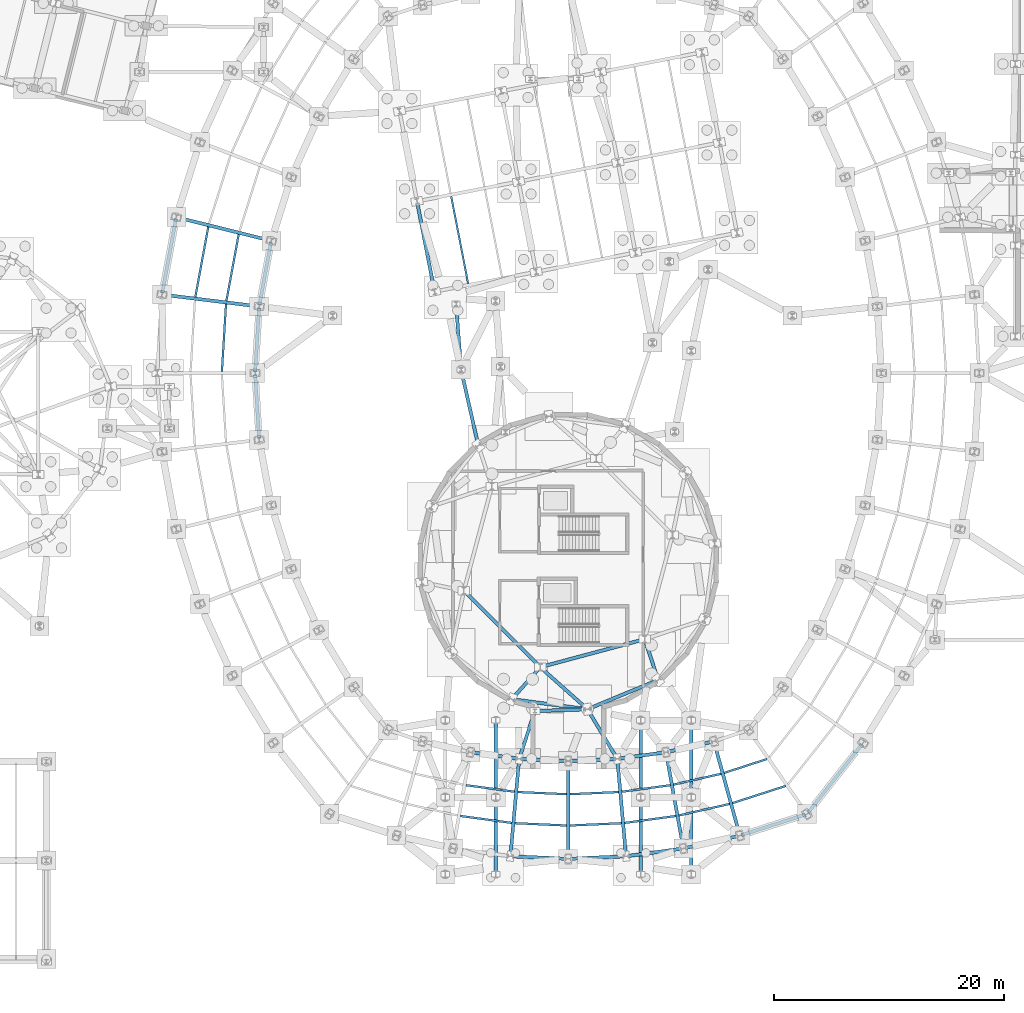
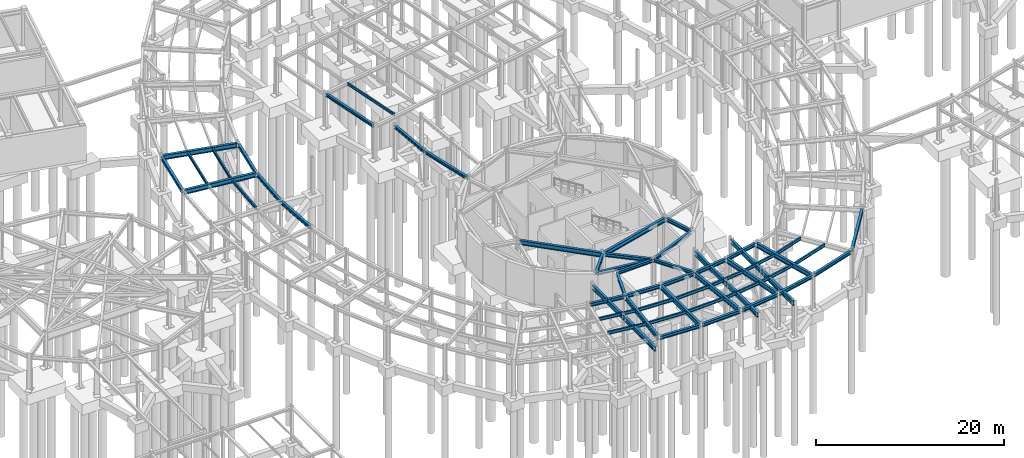
# One storey, part 30 of 50: 57 beams.
"""IFC4 building model written with IfcOpenShell, lengths in metres."""

import ifcopenshell
import ifcopenshell.guid

model = None  # the IFC model being written
_history = None  # IfcOwnerHistory: only IFC2X3 demands one
_inside = {}  # id of a spatial element -> (the spatial element, [elements in it])
_under = {}  # id of a project, library or spatial element -> (it, [spatial elements below it])
_declared = {}  # id of a project -> (the project, [libraries it declares])
_typed = {}  # id of a type object -> (the type object, [elements of that type])
_made_of = {}  # id of a material, layer set ... -> (it, [elements and type objects made of it])


def new_model(schema):
    """Start an empty IFC model of exactly this schema.

    Asked for "IFC4X3", IfcOpenShell would pick the latest addendum, in which some entities
    have other attributes; the version numbers below select the first issue.
    IFC2X3 requires an IfcOwnerHistory on every rooted entity: one is made here for all.
    """
    global model, _history
    if schema == "IFC4X3":
        model = ifcopenshell.file(schema_version=(4, 3, 0, 0))
    else:
        model = ifcopenshell.file(schema=schema)
    _inside.clear()
    _under.clear()
    _declared.clear()
    _typed.clear()
    _made_of.clear()
    _history = None
    if model.schema == "IFC2X3":
        org = make("IfcOrganization", Name="unknown")
        user = make(
            "IfcPersonAndOrganization",
            ThePerson=make("IfcPerson", FamilyName="unknown"),
            TheOrganization=org,
        )
        app = make(
            "IfcApplication",
            ApplicationDeveloper=org,
            Version="unknown",
            ApplicationFullName="unknown",
            ApplicationIdentifier="unknown",
        )
        _history = make(
            "IfcOwnerHistory",
            OwningUser=user,
            OwningApplication=app,
            ChangeAction="ADDED",
            CreationDate=0,
        )
    return model


def make(cls, **values):
    """One entity of the class cls with the attributes given. An attribute that is None is left unset."""
    return model.create_entity(
        cls, **{name: value for name, value in values.items() if value is not None}
    )


def rooted(cls, **values):
    """An entity with a GlobalId (a new one), such as an element, a storey or a relation."""
    return make(cls, GlobalId=ifcopenshell.guid.new(), OwnerHistory=_history, **values)


def si_unit(unit_type, name, prefix=None):
    """IfcSIUnit, for example si_unit("LENGTHUNIT", "METRE", prefix="MILLI")."""
    return make("IfcSIUnit", UnitType=unit_type, Prefix=prefix, Name=name)


def assignment(units):
    """IfcUnitAssignment: the units of a project."""
    return None if units is None else make("IfcUnitAssignment", Units=units)


def point(xyz):
    """IfcCartesianPoint."""
    return None if xyz is None else make("IfcCartesianPoint", Coordinates=xyz)


def direction(xyz):
    """IfcDirection."""
    return None if xyz is None else make("IfcDirection", DirectionRatios=xyz)


def frame(location, z_axis=None, x_axis=None):
    """IfcAxis2Placement3D, a coordinate frame: its origin and axes. An axis left out is left unset."""
    return make(
        "IfcAxis2Placement3D",
        Location=point(location),
        Axis=direction(z_axis),
        RefDirection=direction(x_axis),
    )


def frame_2d(location, x_axis=None):
    """IfcAxis2Placement2D, a coordinate frame in the plane: its origin and x axis."""
    return make(
        "IfcAxis2Placement2D", Location=point(location), RefDirection=direction(x_axis)
    )


def origin():
    """The frame at (0, 0, 0) with its axes left unset."""
    return frame((0.0, 0.0, 0.0))


def origin_2d():
    """The frame at (0, 0) in the plane with its x axis left unset."""
    return frame_2d((0.0, 0.0))


def place(relative_to, where):
    """IfcLocalPlacement: puts the frame where relative to a parent placement (None: the world)."""
    return make(
        "IfcLocalPlacement", PlacementRelTo=relative_to, RelativePlacement=where
    )


def context(
    kind, dimensions, precision=None, world=None, true_north=None, identifier=None
):
    """IfcGeometricRepresentationContext, for example the 3D "Model" context."""
    return make(
        "IfcGeometricRepresentationContext",
        ContextIdentifier=identifier,
        ContextType=kind,
        CoordinateSpaceDimension=dimensions,
        Precision=precision,
        WorldCoordinateSystem=world,
        TrueNorth=true_north,
    )


def subcontext(parent, identifier, kind, view, scale=None):
    """IfcGeometricRepresentationSubContext, for example "Body" below "Model"."""
    return make(
        "IfcGeometricRepresentationSubContext",
        ContextIdentifier=identifier,
        ContextType=kind,
        ParentContext=parent,
        TargetScale=scale,
        TargetView=view,
    )


def project(units=None, contexts=None):
    """IfcProject with its units and contexts."""
    return rooted(
        "IfcProject",
        Name="project",
        RepresentationContexts=contexts,
        UnitsInContext=assignment(units),
    )


def spatial(cls, under=None, at=None, **own):
    """A site, building, storey or space (cls), placed at a placement, below another one or the project."""
    s = rooted(cls, ObjectPlacement=at, **own)
    if under is not None:
        _under.setdefault(under.id(), (under, []))[1].append(s)
    return s


def profile(cls, at=None, kind="AREA", **sizes):
    """A parametric profile (cls). Its sizes go by their IFC names, for example OverallWidth=200.0."""
    return make(cls, ProfileType=kind, Position=at, **sizes)


def i_section(**sizes):
    """IfcIShapeProfileDef."""
    return profile("IfcIShapeProfileDef", **sizes)


def extrude(swept, where, along, depth):
    """IfcExtrudedAreaSolid: the profile swept, set in the frame where, extruded along a direction by depth."""
    return make(
        "IfcExtrudedAreaSolid",
        SweptArea=swept,
        Position=where,
        ExtrudedDirection=direction(along),
        Depth=depth,
    )


def shape(context_of_items, identifier, shape_type, items):
    """IfcShapeRepresentation: the items that make up one representation, for example the "Body"."""
    return make(
        "IfcShapeRepresentation",
        ContextOfItems=context_of_items,
        RepresentationIdentifier=identifier,
        RepresentationType=shape_type,
        Items=items,
    )


def material(Name=None, Category=None):
    """IfcMaterial."""
    return make("IfcMaterial", Name=Name, Category=Category)


def material_profile(
    of_material, cross_section, Name=None, Category=None, Priority=None
):
    """IfcMaterialProfile: a cross section and its material."""
    return make(
        "IfcMaterialProfile",
        Name=Name,
        Material=of_material,
        Profile=cross_section,
        Priority=Priority,
        Category=Category,
    )


def profile_set(profiles, Name=None, composite=None):
    """IfcMaterialProfileSet."""
    return make(
        "IfcMaterialProfileSet",
        Name=Name,
        MaterialProfiles=profiles,
        CompositeProfile=composite,
    )


def made_of(thing, what):
    """Note that an element or type object is made of a material, layer set ...; save() writes the relation."""
    if what is not None:
        _made_of.setdefault(what.id(), (what, []))[1].append(thing)
    return thing


def type_object(cls, material=None, **own):
    """A type object (cls), such as IfcWallType, which elements share."""
    return made_of(rooted(cls, **own), material)


def element(
    cls,
    number,
    at=None,
    inside=None,
    cuts=None,
    type_object=None,
    material=None,
    context=None,
    identifier="Body",
    shape_type=None,
    held_by="IfcProductDefinitionShape",
    body=None,
    shapes=None,
    **own,
):
    """One element of the class cls, such as IfcWall. Its Tag is "e" and its number.

    at: its placement. inside: the storey or other place that contains it. cuts: it is an
    opening in that element (IfcRelVoidsElement). A single representation is given by context,
    identifier, shape_type and body (its items); several are given by shapes. held_by: the class
    of the entity that holds the representations. save() writes the other relations.
    """
    e = rooted(cls, Tag="e%d" % number, ObjectPlacement=at, **own)
    if body is not None:
        shapes = [shape(context, identifier, shape_type, body)]
    if shapes is not None:
        e.Representation = make(held_by, Representations=shapes)
    if inside is not None:
        _inside.setdefault(inside.id(), (inside, []))[1].append(e)
    if cuts is not None:
        rooted(
            "IfcRelVoidsElement", RelatingBuildingElement=cuts, RelatedOpeningElement=e
        )
    if type_object is not None:
        _typed.setdefault(type_object.id(), (type_object, []))[1].append(e)
    return made_of(e, material)


def aggregate(whole, parts):
    """IfcRelAggregates: a whole, such as a stair, and the parts it consists of."""
    return rooted("IfcRelAggregates", RelatingObject=whole, RelatedObjects=parts)


def save(model, path):
    """Write the relations noted so far, then the file.

    IfcRelAggregates (storeys below a building ...), IfcRelContainedInSpatialStructure (elements
    in a storey), IfcRelDefinesByType, IfcRelAssociatesMaterial and IfcRelDeclares: one each for
    every whole, place, type object, material and project.
    """
    for whole, parts in _under.values():
        aggregate(whole, parts)
    for where, things in _inside.values():
        rooted(
            "IfcRelContainedInSpatialStructure",
            RelatedElements=things,
            RelatingStructure=where,
        )
    for kind, things in _typed.values():
        rooted("IfcRelDefinesByType", RelatedObjects=things, RelatingType=kind)
    for what, things in _made_of.values():
        rooted("IfcRelAssociatesMaterial", RelatedObjects=things, RelatingMaterial=what)
    for by, libraries in _declared.values():
        rooted("IfcRelDeclares", RelatingContext=by, RelatedDefinitions=libraries)
    model.write(path)


model = new_model("IFC4")

# Units and contexts
model_context = context("Model", 3, precision=1e-05, world=origin(), true_north=direction((0.0, 1.0)))
body_context = subcontext(model_context, "Body", "Model", "MODEL_VIEW")
ifc_project = project(units=[si_unit("LENGTHUNIT", "METRE"), si_unit("AREAUNIT", "SQUARE_METRE"), si_unit("VOLUMEUNIT", "CUBIC_METRE"), si_unit("PLANEANGLEUNIT", "RADIAN"), si_unit("MASSUNIT", "GRAM", prefix="KILO")], contexts=[model_context])

# Site, building, storey
site_placement = place(None, origin())
site = spatial("IfcSite", under=ifc_project, at=site_placement, CompositionType="ELEMENT")
building_placement = place(site_placement, origin())
building = spatial("IfcBuilding", under=site, at=building_placement, Name="Varnklinge Art Gallery", CompositionType="ELEMENT")
storey_placement = place(building_placement, frame((0.0, 0.0, -4.800048828125)))
storey = spatial("IfcBuildingStorey", under=building, at=storey_placement, Name="B01", CompositionType="ELEMENT", Elevation=-4.800048828125)

# Beams
ifc_material_1 = material(Name="Steel S355", Category="steel")
ifc_material_profile_1 = material_profile(ifc_material_1, i_section(OverallWidth=0.300048828125, OverallDepth=0.60009765625, WebThickness=0.015380859375, FlangeThickness=0.030029296875, FilletRadius=0.027099609375, at=origin_2d()), Name="HEB 600")
ifc_profile_set_1 = profile_set([ifc_material_profile_1], Name="Steel S355")
beam_type_1 = type_object("IfcBeamType", Name="BM-05", PredefinedType="BEAM", material=ifc_profile_set_1)
for number, where, z_axis, x_axis, name in (
    (1, (69.199951171875, 11.449951171875, 4.25), (0.0, 1.0, 0.0), (-1.0, 0.0, 0.0), "B01 BM-05 BM-CAN-B01A-2"),
    (2, (69.199951171875, 18.14990234375, 4.25), (0.0, 1.0, 0.0), (-1.0, 0.0, 0.0), "B01 BM-05 BM-CAN-B01B-2"),
    (3, (81.800048828125, 11.449951171875, 4.25), (0.0, 1.0, 0.0), (-1.0, 0.0, 0.0), "B01 BM-05 BM-CAN-B01A-3"),
    (4, (81.800048828125, 18.14990234375, 4.25), (0.0, 1.0, 0.0), (-1.0, 0.0, 0.0), "B01 BM-05 BM-CAN-B01B-3"),
    (5, (86.199951171875, 11.449951171875, 4.25), (0.0, 1.0, 0.0), (-1.0, 0.0, 0.0), "B01 BM-05 BM-CAN-B01A-4"),
    (6, (86.199951171875, 18.14990234375, 4.25), (0.0, 1.0, 0.0), (-1.0, 0.0, 0.0), "B01 BM-05 BM-CAN-B01B-4"),
):
    element("IfcBeam", number, at=place(storey_placement, frame(where, z_axis=z_axis, x_axis=x_axis)), inside=storey, type_object=beam_type_1, Name=name, PredefinedType="BEAM", context=body_context, shape_type="SweptSolid", body=[
        extrude(i_section(OverallWidth=0.300048828125, OverallDepth=0.60009765625, WebThickness=0.015380859375, FlangeThickness=0.030029296875, FilletRadius=0.027099609375, at=origin_2d()), origin(), (0.0, 0.0, 1.0), 6.60009765625),
    ])
ifc_material_2 = material(Name="Steel S355", Category="steel")
ifc_material_profile_2 = material_profile(ifc_material_2, i_section(OverallWidth=0.300048828125, OverallDepth=0.590087890625, WebThickness=0.012939453125, FlangeThickness=0.02490234375, FilletRadius=0.027099609375, at=origin_2d()), Name="HEA 600")
ifc_profile_set_2 = profile_set([ifc_material_profile_2], Name="Steel S355")
beam_type_2 = type_object("IfcBeamType", Name="BM-06", PredefinedType="BEAM", material=ifc_profile_set_2)
beam_1_placement = place(storey_placement, frame((41.53759765625, 68.531982421875, 4.255126953125), z_axis=(0.970493677731, -0.241126567355, 0.0), x_axis=(0.241126567355, 0.970493677731, 0.0)))
element("IfcBeam", 7, at=beam_1_placement, inside=storey, type_object=beam_type_2, Name="B01 BM-06 BM-V2-L00-R25", PredefinedType="BEAM", context=body_context, shape_type="SweptSolid", body=[
    extrude(i_section(OverallWidth=0.300048828125, OverallDepth=0.590087890625, WebThickness=0.012939453125, FlangeThickness=0.02490234375, FilletRadius=0.027099609375, at=origin_2d()), origin(), (0.0, 0.0, 1.0), 8.236572265625),
])
beam_2_placement = place(storey_placement, frame((40.297119140625, 61.81640625, 4.255126953125), z_axis=(0.992595580805, -0.121466098009, 0.0), x_axis=(0.121466098009, 0.992595580805, 0.0)))
element("IfcBeam", 8, at=beam_2_placement, inside=storey, type_object=beam_type_2, Name="B01 BM-06 BM-V2-L00-R26", PredefinedType="BEAM", context=body_context, shape_type="SweptSolid", body=[
    extrude(i_section(OverallWidth=0.300048828125, OverallDepth=0.590087890625, WebThickness=0.012939453125, FlangeThickness=0.02490234375, FilletRadius=0.027099609375, at=origin_2d()), origin(), (0.0, 0.0, 1.0), 8.23681640625),
])
beam_3_placement = place(storey_placement, frame((70.482177734375, 13.110107421875, 4.255126953125), z_axis=(0.089446998225, 0.995991583553, 0.0), x_axis=(-0.995991583553, 0.089446998225, 0.0)))
element("IfcBeam", 9, at=beam_3_placement, inside=storey, type_object=beam_type_2, Name="B01 BM-06 BM-V2-L00-R36", PredefinedType="BEAM", context=body_context, shape_type="SweptSolid", body=[
    extrude(i_section(OverallWidth=0.300048828125, OverallDepth=0.590087890625, WebThickness=0.012939453125, FlangeThickness=0.02490234375, FilletRadius=0.027099609375, at=origin_2d()), origin(), (0.0, 0.0, 1.0), 8.229248046875),
])
beam_4_placement = place(storey_placement, frame((75.5, 12.885498046875, 4.255126953125), z_axis=(0.0, 1.0, 0.0), x_axis=(-1.0, 0.0, 0.0)))
element("IfcBeam", 10, at=beam_4_placement, inside=storey, type_object=beam_type_2, Name="B01 BM-06 BM-V2-L00-R37", PredefinedType="BEAM", context=body_context, shape_type="SweptSolid", body=[
    extrude(i_section(OverallWidth=0.300048828125, OverallDepth=0.590087890625, WebThickness=0.012939453125, FlangeThickness=0.02490234375, FilletRadius=0.027099609375, at=origin_2d()), origin(), (0.0, 0.0, 1.0), 8.22900390625),
])
for number, where, z_axis, x_axis, name in (
    (11, (80.517822265625, 13.110107421875, 4.255126953125), (-0.089446998225, 0.995991583553, 0.0), (-0.995991583553, -0.089446998225, 0.0), "B01 BM-06 BM-V2-L00-R38"),
    (12, (85.495361328125, 13.78271484375, 4.255126953125), (-0.178151776958, 0.984003020507, 0.0), (-0.984003020507, -0.178151776958, 0.0), "B01 BM-06 BM-V2-L00-R39"),
    (13, (90.392578125, 14.897705078125, 4.255126953125), (-0.26537851046, 0.96414430776, 0.0), (-0.96414430776, -0.26537851046, 0.0), "B01 BM-06 BM-V2-L00-R40"),
):
    element("IfcBeam", number, at=place(storey_placement, frame(where, z_axis=z_axis, x_axis=x_axis)), inside=storey, type_object=beam_type_2, Name=name, PredefinedType="BEAM", context=body_context, shape_type="SweptSolid", body=[
        extrude(i_section(OverallWidth=0.300048828125, OverallDepth=0.590087890625, WebThickness=0.012939453125, FlangeThickness=0.02490234375, FilletRadius=0.027099609375, at=origin_2d()), origin(), (0.0, 0.0, 1.0), 8.229248046875),
    ])
beam_5_placement = place(storey_placement, frame((66.519287109375, 35.968017578125, 4.255126953125), z_axis=(0.707106781187, -0.707106781187, 0.0), x_axis=(0.707106781187, 0.707106781187, 0.0)))
element("IfcBeam", 14, at=beam_5_placement, inside=storey, type_object=beam_type_2, Name="B01 BM-06 BM-V4D-L00-I4", PredefinedType="BEAM", context=body_context, shape_type="SweptSolid", body=[
    extrude(i_section(OverallWidth=0.300048828125, OverallDepth=0.590087890625, WebThickness=0.012939453125, FlangeThickness=0.02490234375, FilletRadius=0.027099609375, at=origin_2d()), origin(), (0.0, 0.0, 1.0), 9.119873046875),
])
beam_6_placement = place(storey_placement, frame((73.202392578125, 29.45654296875, 4.255126953125), z_axis=(0.965928574877, 0.258808787016, 0.0), x_axis=(-0.258808787016, 0.965928574877, 0.0)))
element("IfcBeam", 15, at=beam_6_placement, inside=storey, type_object=beam_type_2, Name="B01 BM-06 BM-V4D-L00-I5", PredefinedType="BEAM", context=body_context, shape_type="SweptSolid", body=[
    extrude(i_section(OverallWidth=0.300048828125, OverallDepth=0.590087890625, WebThickness=0.012939453125, FlangeThickness=0.02490234375, FilletRadius=0.027099609375, at=origin_2d()), origin(), (0.0, 0.0, 1.0), 9.1201171875),
])
ifc_material_3 = material(Name="Steel S355", Category="steel")
ifc_material_profile_3 = material_profile(ifc_material_3, i_section(OverallWidth=0.300048828125, OverallDepth=0.43994140625, WebThickness=0.011474609375, FlangeThickness=0.02099609375, FilletRadius=0.027099609375, at=origin_2d()), Name="HEA 450")
ifc_profile_set_3 = profile_set([ifc_material_profile_3], Name="Steel S355")
beam_type_3 = type_object("IfcBeamType", Name="BM-08", PredefinedType="BEAM", material=ifc_profile_set_3)
beam_7_placement = place(storey_placement, frame((96.357666015625, 16.75, 4.330078125), z_axis=(0.619327516232, 0.785132745233, 0.0), x_axis=(-0.785132745233, 0.619327516232, 0.0)))
element("IfcBeam", 16, at=beam_7_placement, inside=storey, type_object=beam_type_3, Name="B01 BM-08 BM-V2-L00-O01", PredefinedType="BEAM", context=body_context, shape_type="SweptSolid", body=[
    extrude(i_section(OverallWidth=0.300048828125, OverallDepth=0.43994140625, WebThickness=0.011474609375, FlangeThickness=0.02099609375, FilletRadius=0.027099609375, at=origin_2d()), origin(), (0.0, 0.0, 1.0), 7.597900390625),
])
beam_8_placement = place(storey_placement, frame((41.376220703125, 68.427978515625, 4.330078125), z_axis=(-0.181672496831, -0.983359092039, 0.0), x_axis=(0.983359092039, -0.181672496831, 0.0)))
element("IfcBeam", 17, at=beam_8_placement, inside=storey, type_object=beam_type_3, Name="B01 BM-08 BM-V2-L00-O25", PredefinedType="BEAM", context=body_context, shape_type="SweptSolid", body=[
    extrude(i_section(OverallWidth=0.300048828125, OverallDepth=0.43994140625, WebThickness=0.011474609375, FlangeThickness=0.02099609375, FilletRadius=0.027099609375, at=origin_2d()), origin(), (0.0, 0.0, 1.0), 6.566162109375),
])
for number, where, z_axis, x_axis, name in (
    (18, (49.641845703125, 66.374267578125, 4.330078125), (-0.181635496942, -0.983365926932, 0.0), (0.983365926932, -0.181635496942, 0.0), "B01 BM-08 BM-V2-L00-I25"),
    (19, (48.603515625, 60.6591796875, 4.330078125), (-0.06083896784, -0.998147594293, 0.0), (0.998147594293, -0.06083896784, 0.0), "B01 BM-08 BM-V2-L00-I26"),
    (20, (48.26708984375, 54.8603515625, 4.330078125), (0.06083896784, -0.998147594293, 0.0), (0.998147594293, 0.06083896784, 0.0), "B01 BM-08 BM-V2-L00-I27"),
):
    element("IfcBeam", number, at=place(storey_placement, frame(where, z_axis=z_axis, x_axis=x_axis)), inside=storey, type_object=beam_type_3, Name=name, PredefinedType="BEAM", context=body_context, shape_type="SweptSolid", body=[
        extrude(i_section(OverallWidth=0.300048828125, OverallDepth=0.43994140625, WebThickness=0.011474609375, FlangeThickness=0.02099609375, FilletRadius=0.027099609375, at=origin_2d()), origin(), (0.0, 0.0, 1.0), 5.52978515625),
    ])
beam_9_placement = place(storey_placement, frame((67.13427734375, 21.99951171875, 4.330078125), z_axis=(0.990989799055, -0.133937366586, 0.0), x_axis=(0.133937366586, 0.990989799055, 0.0)))
element("IfcBeam", 21, at=beam_9_placement, inside=storey, type_object=beam_type_3, Name="B01 BM-08 BM-V2-L00-I35", PredefinedType="BEAM", context=body_context, shape_type="SweptSolid", body=[
    extrude(i_section(OverallWidth=0.300048828125, OverallDepth=0.43994140625, WebThickness=0.011474609375, FlangeThickness=0.02099609375, FilletRadius=0.027099609375, at=origin_2d()), origin(), (0.0, 0.0, 1.0), 3.99365234375),
])
beam_10_placement = place(storey_placement, frame((70.609619140625, 12.96435546875, 4.330078125), z_axis=(0.998999636454, -0.0447183001, 0.0), x_axis=(0.0447183001, 0.998999636454, 0.0)))
element("IfcBeam", 22, at=beam_10_placement, inside=storey, type_object=beam_type_3, Name="B01 BM-08 BM-V2-L00-O36", PredefinedType="BEAM", context=body_context, shape_type="SweptSolid", body=[
    extrude(i_section(OverallWidth=0.300048828125, OverallDepth=0.43994140625, WebThickness=0.011474609375, FlangeThickness=0.02099609375, FilletRadius=0.027099609375, at=origin_2d()), origin(), (0.0, 0.0, 1.0), 4.755126953125),
])
beam_11_placement = place(storey_placement, frame((71.37060546875, 21.439697265625, 4.330078125), z_axis=(0.998998197966, -0.044750424142, 0.0), x_axis=(0.044750424142, 0.998998197966, 0.0)))
element("IfcBeam", 23, at=beam_11_placement, inside=storey, type_object=beam_type_3, Name="B01 BM-08 BM-V2-L00-I36", PredefinedType="BEAM", context=body_context, shape_type="SweptSolid", body=[
    extrude(i_section(OverallWidth=0.300048828125, OverallDepth=0.43994140625, WebThickness=0.011474609375, FlangeThickness=0.02099609375, FilletRadius=0.027099609375, at=origin_2d()), origin(), (0.0, 0.0, 1.0), 3.993408203125),
])
beam_12_placement = place(storey_placement, frame((75.639892578125, 12.751708984375, 4.330078125), z_axis=(0.998999636454, 0.0447183001, 0.0), x_axis=(-0.0447183001, 0.998999636454, 0.0)))
element("IfcBeam", 24, at=beam_12_placement, inside=storey, type_object=beam_type_3, Name="B01 BM-08 BM-V2-L00-O37", PredefinedType="BEAM", context=body_context, shape_type="SweptSolid", body=[
    extrude(i_section(OverallWidth=0.300048828125, OverallDepth=0.43994140625, WebThickness=0.011474609375, FlangeThickness=0.02099609375, FilletRadius=0.027099609375, at=origin_2d()), origin(), (0.0, 0.0, 1.0), 4.755126953125),
])
beam_13_placement = place(storey_placement, frame((75.639892578125, 21.260986328125, 4.330078125), z_axis=(0.998998197966, 0.044750424142, 0.0), x_axis=(-0.044750424142, 0.998998197966, 0.0)))
element("IfcBeam", 25, at=beam_13_placement, inside=storey, type_object=beam_type_3, Name="B01 BM-08 BM-V2-L00-I37", PredefinedType="BEAM", context=body_context, shape_type="SweptSolid", body=[
    extrude(i_section(OverallWidth=0.300048828125, OverallDepth=0.43994140625, WebThickness=0.011474609375, FlangeThickness=0.02099609375, FilletRadius=0.027099609375, at=origin_2d()), origin(), (0.0, 0.0, 1.0), 3.993408203125),
])
beam_14_placement = place(storey_placement, frame((80.6689453125, 12.989501953125, 4.330078125), z_axis=(0.990995928782, 0.133892005505, 0.0), x_axis=(-0.133892005505, 0.990995928782, 0.0)))
element("IfcBeam", 26, at=beam_14_placement, inside=storey, type_object=beam_type_3, Name="B01 BM-08 BM-V2-L00-O38", PredefinedType="BEAM", context=body_context, shape_type="SweptSolid", body=[
    extrude(i_section(OverallWidth=0.300048828125, OverallDepth=0.43994140625, WebThickness=0.011474609375, FlangeThickness=0.02099609375, FilletRadius=0.027099609375, at=origin_2d()), origin(), (0.0, 0.0, 1.0), 4.75537109375),
])
beam_15_placement = place(storey_placement, frame((79.907958984375, 21.464599609375, 4.330078125), z_axis=(0.990989799055, 0.133937366586, 0.0), x_axis=(-0.133937366586, 0.990989799055, 0.0)))
element("IfcBeam", 27, at=beam_15_placement, inside=storey, type_object=beam_type_3, Name="B01 BM-08 BM-V2-L00-I38", PredefinedType="BEAM", context=body_context, shape_type="SweptSolid", body=[
    extrude(i_section(OverallWidth=0.300048828125, OverallDepth=0.43994140625, WebThickness=0.011474609375, FlangeThickness=0.02099609375, FilletRadius=0.027099609375, at=origin_2d()), origin(), (0.0, 0.0, 1.0), 3.99365234375),
])
beam_16_placement = place(storey_placement, frame((85.65673828125, 13.676025390625, 4.330078125), z_axis=(0.975056640979, 0.221956182347, 0.0), x_axis=(-0.221956182347, 0.975056640979, 0.0)))
element("IfcBeam", 28, at=beam_16_placement, inside=storey, type_object=beam_type_3, Name="B01 BM-08 BM-V2-L00-O39", PredefinedType="BEAM", context=body_context, shape_type="SweptSolid", body=[
    extrude(i_section(OverallWidth=0.300048828125, OverallDepth=0.43994140625, WebThickness=0.011474609375, FlangeThickness=0.02099609375, FilletRadius=0.027099609375, at=origin_2d()), origin(), (0.0, 0.0, 1.0), 4.755126953125),
])
beam_17_placement = place(storey_placement, frame((84.140869140625, 22.04931640625, 4.330078125), z_axis=(0.975053526144, 0.221969865419, 0.0), x_axis=(-0.221969865419, 0.975053526144, 0.0)))
element("IfcBeam", 29, at=beam_17_placement, inside=storey, type_object=beam_type_3, Name="B01 BM-08 BM-V2-L00-I39", PredefinedType="BEAM", context=body_context, shape_type="SweptSolid", body=[
    extrude(i_section(OverallWidth=0.300048828125, OverallDepth=0.43994140625, WebThickness=0.011474609375, FlangeThickness=0.02099609375, FilletRadius=0.027099609375, at=origin_2d()), origin(), (0.0, 0.0, 1.0), 3.99365234375),
])
beam_18_placement = place(storey_placement, frame((90.56298828125, 14.805419921875, 4.330078125), z_axis=(0.952022487869, 0.306028074843, 0.0), x_axis=(-0.306028074843, 0.952022487869, 0.0)))
element("IfcBeam", 30, at=beam_18_placement, inside=storey, type_object=beam_type_3, Name="B01 BM-08 BM-V2-L00-O40", PredefinedType="BEAM", context=body_context, shape_type="SweptSolid", body=[
    extrude(i_section(OverallWidth=0.300048828125, OverallDepth=0.43994140625, WebThickness=0.011474609375, FlangeThickness=0.02099609375, FilletRadius=0.027099609375, at=origin_2d()), origin(), (0.0, 0.0, 1.0), 5.855712890625),
])
beam_19_placement = place(storey_placement, frame((72.97412109375, 29.315673828125, 4.330078125), z_axis=(-0.664780083084, -0.747039116201, 0.0), x_axis=(0.747039116201, -0.664780083084, 0.0)))
element("IfcBeam", 31, at=beam_19_placement, inside=storey, type_object=beam_type_3, Name="B01 BM-08 BM-V4D-L00-R09", PredefinedType="BEAM", context=body_context, shape_type="SweptSolid", body=[
    extrude(i_section(OverallWidth=0.300048828125, OverallDepth=0.43994140625, WebThickness=0.011474609375, FlangeThickness=0.02099609375, FilletRadius=0.027099609375, at=origin_2d()), origin(), (0.0, 0.0, 1.0), 3.457763671875),
])
beam_20_placement = place(storey_placement, frame((73.171630859375, 29.3271484375, 4.330078125), z_axis=(0.746795307155, -0.665053959623, 0.0), x_axis=(0.665053959623, 0.746795307155, 0.0)))
element("IfcBeam", 32, at=beam_20_placement, inside=storey, type_object=beam_type_3, Name="B01 BM-08 BM-V4D-L00-R10", PredefinedType="BEAM", context=body_context, shape_type="SweptSolid", body=[
    extrude(i_section(OverallWidth=0.300048828125, OverallDepth=0.43994140625, WebThickness=0.011474609375, FlangeThickness=0.02099609375, FilletRadius=0.027099609375, at=origin_2d()), origin(), (0.0, 0.0, 1.0), 5.223876953125),
])
beam_21_placement = place(storey_placement, frame((82.19091796875, 31.72021484375, 4.330078125), z_axis=(0.314574973389, -0.949232630137, 0.0), x_axis=(0.949232630137, 0.314574973389, 0.0)))
element("IfcBeam", 33, at=beam_21_placement, inside=storey, type_object=beam_type_3, Name="B01 BM-08 BM-V4D-L00-R11", PredefinedType="BEAM", context=body_context, shape_type="SweptSolid", body=[
    extrude(i_section(OverallWidth=0.300048828125, OverallDepth=0.43994140625, WebThickness=0.011474609375, FlangeThickness=0.02099609375, FilletRadius=0.027099609375, at=origin_2d()), origin(), (0.0, 0.0, 1.0), 3.45751953125),
])
ifc_material_4 = material(Name="Steel S355", Category="steel")
ifc_material_profile_4 = material_profile(ifc_material_4, i_section(OverallWidth=0.300048828125, OverallDepth=0.389892578125, WebThickness=0.010986328125, FlangeThickness=0.01904296875, FilletRadius=0.027099609375, at=origin_2d()), Name="HEA 400")
ifc_profile_set_4 = profile_set([ifc_material_profile_4], Name="Steel S355")
beam_type_4 = type_object("IfcBeamType", Name="BM-09", PredefinedType="BEAM", material=ifc_profile_set_4)
beam_22_placement = place(storey_placement, frame((63.845947265625, 62.2275390625, 4.35498046875), z_axis=(-0.190816333803, 0.981625756974, 0.0), x_axis=(-0.981625756974, -0.190816333803, 0.0)))
element("IfcBeam", 34, at=beam_22_placement, inside=storey, type_object=beam_type_4, Name="B01 BM-09 BM-V4B-L00-V0-0", PredefinedType="BEAM", context=body_context, shape_type="SweptSolid", body=[
    extrude(i_section(OverallWidth=0.300048828125, OverallDepth=0.389892578125, WebThickness=0.010986328125, FlangeThickness=0.01904296875, FilletRadius=0.027099609375, at=origin_2d()), origin(), (0.0, 0.0, 1.0), 7.72021484375),
])
beam_23_placement = place(storey_placement, frame((79.73828125, 21.497314453125, 4.35498046875), z_axis=(-0.514992622246, 0.857194609778, 0.0), x_axis=(-0.857194609778, -0.514992622246, 0.0)))
element("IfcBeam", 35, at=beam_23_placement, inside=storey, type_object=beam_type_4, Name="B01 BM-09 BM-LNK-V4S-L00-2", PredefinedType="BEAM", context=body_context, shape_type="SweptSolid", body=[
    extrude(i_section(OverallWidth=0.300048828125, OverallDepth=0.389892578125, WebThickness=0.010986328125, FlangeThickness=0.01904296875, FilletRadius=0.027099609375, at=origin_2d()), origin(), (0.0, 0.0, 1.0), 4.912841796875),
])
beam_24_placement = place(storey_placement, frame((77.1171875, 25.7578125, 4.35498046875), z_axis=(-0.999389964671, -0.034924182366, 0.0), x_axis=(0.034924182366, -0.999389964671, 0.0)))
element("IfcBeam", 36, at=beam_24_placement, inside=storey, type_object=beam_type_4, Name="B01 BM-09 BM-LNK-V4S-L00-3", PredefinedType="BEAM", context=body_context, shape_type="SweptSolid", body=[
    extrude(i_section(OverallWidth=0.300048828125, OverallDepth=0.389892578125, WebThickness=0.010986328125, FlangeThickness=0.01904296875, FilletRadius=0.027099609375, at=origin_2d()), origin(), (0.0, 0.0, 1.0), 4.4599609375),
])
beam_25_placement = place(storey_placement, frame((72.581298828125, 25.54296875, 4.35498046875), z_axis=(-0.313075182733, -0.949728345348, 0.0), x_axis=(0.949728345348, -0.313075182733, 0.0)))
element("IfcBeam", 37, at=beam_25_placement, inside=storey, type_object=beam_type_4, Name="B01 BM-09 BM-LNK-V4S-L00-4", PredefinedType="BEAM", context=body_context, shape_type="SweptSolid", body=[
    extrude(i_section(OverallWidth=0.300048828125, OverallDepth=0.389892578125, WebThickness=0.010986328125, FlangeThickness=0.01904296875, FilletRadius=0.027099609375, at=origin_2d()), origin(), (0.0, 0.0, 1.0), 4.25390625),
])
beam_26_placement = place(storey_placement, frame((67.6640625, 48.753173828125, 4.35498046875), z_axis=(-0.221123227965, 0.975245875692, 0.0), x_axis=(-0.975245875692, -0.221123227965, 0.0)))
element("IfcBeam", 38, at=beam_26_placement, inside=storey, type_object=beam_type_4, Name="B01 BM-09 BM-BRG-1-B01-R1", PredefinedType="BEAM", context=body_context, shape_type="SweptSolid", body=[
    extrude(i_section(OverallWidth=0.300048828125, OverallDepth=0.389892578125, WebThickness=0.010986328125, FlangeThickness=0.01904296875, FilletRadius=0.027099609375, at=origin_2d()), origin(), (0.0, 0.0, 1.0), 6.655517578125),
])
beam_27_placement = place(storey_placement, frame((66.17431640625, 55.362060546875, 4.35498046875), z_axis=(-0.075877545571, 0.997117143609, 0.0), x_axis=(-0.997117143609, -0.075877545571, 0.0)))
element("IfcBeam", 39, at=beam_27_placement, inside=storey, type_object=beam_type_4, Name="B01 BM-09 BM-BRG-1-B01-R2", PredefinedType="BEAM", context=body_context, shape_type="SweptSolid", body=[
    extrude(i_section(OverallWidth=0.300048828125, OverallDepth=0.389892578125, WebThickness=0.010986328125, FlangeThickness=0.01904296875, FilletRadius=0.027099609375, at=origin_2d()), origin(), (0.0, 0.0, 1.0), 5.608154296875),
])
ifc_material_5 = material(Name="Steel S355", Category="steel")
ifc_material_profile_5 = material_profile(ifc_material_5, i_section(OverallWidth=0.179931640625, OverallDepth=0.39990234375, WebThickness=0.008544921875, FlangeThickness=0.013427734375, FilletRadius=0.02099609375, at=origin_2d()), Name="IPE 400")
ifc_profile_set_5 = profile_set([ifc_material_profile_5], Name="Steel S355")
beam_type_5 = type_object("IfcBeamType", Name="JST-05", PredefinedType="JOIST", material=ifc_profile_set_5)
beam_28_placement = place(storey_placement, frame((44.1865234375, 67.729736328125, 4.35009765625), z_axis=(-0.181640421722, -0.983365017273, 0.0), x_axis=(0.983365017273, -0.181640421722, 0.0)))
element("IfcBeam", 40, at=beam_28_placement, inside=storey, type_object=beam_type_5, Name="B01 JST-05 JST-V2-L00-25-1", PredefinedType="JOIST", context=body_context, shape_type="SweptSolid", body=[
    extrude(i_section(OverallWidth=0.179931640625, OverallDepth=0.39990234375, WebThickness=0.008544921875, FlangeThickness=0.013427734375, FilletRadius=0.02099609375, at=origin_2d()), origin(), (0.0, 0.0, 1.0), 6.213623046875),
])
beam_29_placement = place(storey_placement, frame((46.83154296875, 67.072509765625, 4.35009765625), z_axis=(-0.181631460363, -0.983366672512, 0.0), x_axis=(0.983366672512, -0.181631460363, 0.0)))
element("IfcBeam", 41, at=beam_29_placement, inside=storey, type_object=beam_type_5, Name="B01 JST-05 JST-V2-L00-25-2", PredefinedType="JOIST", context=body_context, shape_type="SweptSolid", body=[
    extrude(i_section(OverallWidth=0.179931640625, OverallDepth=0.39990234375, WebThickness=0.008544921875, FlangeThickness=0.013427734375, FilletRadius=0.02099609375, at=origin_2d()), origin(), (0.0, 0.0, 1.0), 5.882080078125),
])
beam_30_placement = place(storey_placement, frame((45.72900390625, 61.010986328125, 4.35009765625), z_axis=(-0.060845929193, -0.998147169961, 0.0), x_axis=(0.998147169961, -0.060845929193, 0.0)))
element("IfcBeam", 42, at=beam_30_placement, inside=storey, type_object=beam_type_5, Name="B01 JST-05 JST-V2-L00-26-2", PredefinedType="JOIST", context=body_context, shape_type="SweptSolid", body=[
    extrude(i_section(OverallWidth=0.179931640625, OverallDepth=0.39990234375, WebThickness=0.008544921875, FlangeThickness=0.013427734375, FilletRadius=0.02099609375, at=origin_2d()), origin(), (0.0, 0.0, 1.0), 5.88232421875),
])
beam_31_placement = place(storey_placement, frame((66.1337890625, 16.47314453125, 4.35009765625), z_axis=(0.990994962068, -0.1338991604, 0.0), x_axis=(0.1338991604, 0.990994962068, 0.0)))
element("IfcBeam", 43, at=beam_31_placement, inside=storey, type_object=beam_type_5, Name="B01 JST-05 JST-V2-L00-35-1", PredefinedType="JOIST", context=body_context, shape_type="SweptSolid", body=[
    extrude(i_section(OverallWidth=0.179931640625, OverallDepth=0.39990234375, WebThickness=0.008544921875, FlangeThickness=0.013427734375, FilletRadius=0.02099609375, at=origin_2d()), origin(), (0.0, 0.0, 1.0), 4.496337890625),
])
beam_32_placement = place(storey_placement, frame((66.618896484375, 19.152587890625, 4.35009765625), z_axis=(0.990990165217, -0.133934657366, 0.0), x_axis=(0.133934657366, 0.990990165217, 0.0)))
element("IfcBeam", 44, at=beam_32_placement, inside=storey, type_object=beam_type_5, Name="B01 JST-05 JST-V2-L00-35-2", PredefinedType="JOIST", context=body_context, shape_type="SweptSolid", body=[
    extrude(i_section(OverallWidth=0.179931640625, OverallDepth=0.39990234375, WebThickness=0.008544921875, FlangeThickness=0.013427734375, FilletRadius=0.02099609375, at=origin_2d()), origin(), (0.0, 0.0, 1.0), 4.252685546875),
])
beam_33_placement = place(storey_placement, frame((70.868408203125, 15.845947265625, 4.35009765625), z_axis=(0.998998547329, -0.044742624361, 0.0), x_axis=(0.044742624361, 0.998998547329, 0.0)))
element("IfcBeam", 45, at=beam_33_placement, inside=storey, type_object=beam_type_5, Name="B01 JST-05 JST-V2-L00-36-1", PredefinedType="JOIST", context=body_context, shape_type="SweptSolid", body=[
    extrude(i_section(OverallWidth=0.179931640625, OverallDepth=0.39990234375, WebThickness=0.008544921875, FlangeThickness=0.013427734375, FilletRadius=0.02099609375, at=origin_2d()), origin(), (0.0, 0.0, 1.0), 4.49609375),
])
beam_34_placement = place(storey_placement, frame((71.11181640625, 18.55810546875, 4.35009765625), z_axis=(0.998996870661, -0.044780044774, 0.0), x_axis=(0.044780044774, 0.998996870661, 0.0)))
element("IfcBeam", 46, at=beam_34_placement, inside=storey, type_object=beam_type_5, Name="B01 JST-05 JST-V2-L00-36-2", PredefinedType="JOIST", context=body_context, shape_type="SweptSolid", body=[
    extrude(i_section(OverallWidth=0.179931640625, OverallDepth=0.39990234375, WebThickness=0.008544921875, FlangeThickness=0.013427734375, FilletRadius=0.02099609375, at=origin_2d()), origin(), (0.0, 0.0, 1.0), 4.25244140625),
])
beam_35_placement = place(storey_placement, frame((75.639892578125, 15.644775390625, 4.35009765625), z_axis=(0.998998547329, 0.044742624361, 0.0), x_axis=(-0.044742624361, 0.998998547329, 0.0)))
element("IfcBeam", 47, at=beam_35_placement, inside=storey, type_object=beam_type_5, Name="B01 JST-05 JST-V2-L00-37-1", PredefinedType="JOIST", context=body_context, shape_type="SweptSolid", body=[
    extrude(i_section(OverallWidth=0.179931640625, OverallDepth=0.39990234375, WebThickness=0.008544921875, FlangeThickness=0.013427734375, FilletRadius=0.02099609375, at=origin_2d()), origin(), (0.0, 0.0, 1.0), 4.49609375),
])
beam_36_placement = place(storey_placement, frame((75.639892578125, 18.36767578125, 4.35009765625), z_axis=(0.998996870661, 0.044780044774, 0.0), x_axis=(-0.044780044774, 0.998996870661, 0.0)))
element("IfcBeam", 48, at=beam_36_placement, inside=storey, type_object=beam_type_5, Name="B01 JST-05 JST-V2-L00-37-2", PredefinedType="JOIST", context=body_context, shape_type="SweptSolid", body=[
    extrude(i_section(OverallWidth=0.179931640625, OverallDepth=0.39990234375, WebThickness=0.008544921875, FlangeThickness=0.013427734375, FilletRadius=0.02099609375, at=origin_2d()), origin(), (0.0, 0.0, 1.0), 4.25244140625),
])
beam_37_placement = place(storey_placement, frame((80.410400390625, 15.87109375, 4.35009765625), z_axis=(0.990994962068, 0.1338991604, 0.0), x_axis=(-0.1338991604, 0.990994962068, 0.0)))
element("IfcBeam", 49, at=beam_37_placement, inside=storey, type_object=beam_type_5, Name="B01 JST-05 JST-V2-L00-38-1", PredefinedType="JOIST", context=body_context, shape_type="SweptSolid", body=[
    extrude(i_section(OverallWidth=0.179931640625, OverallDepth=0.39990234375, WebThickness=0.008544921875, FlangeThickness=0.013427734375, FilletRadius=0.02099609375, at=origin_2d()), origin(), (0.0, 0.0, 1.0), 4.496337890625),
])
beam_38_placement = place(storey_placement, frame((80.166748046875, 18.5830078125, 4.35009765625), z_axis=(0.990990165217, 0.133934657366, 0.0), x_axis=(-0.133934657366, 0.990990165217, 0.0)))
element("IfcBeam", 50, at=beam_38_placement, inside=storey, type_object=beam_type_5, Name="B01 JST-05 JST-V2-L00-38-2", PredefinedType="JOIST", context=body_context, shape_type="SweptSolid", body=[
    extrude(i_section(OverallWidth=0.179931640625, OverallDepth=0.39990234375, WebThickness=0.008544921875, FlangeThickness=0.013427734375, FilletRadius=0.02099609375, at=origin_2d()), origin(), (0.0, 0.0, 1.0), 4.252685546875),
])
beam_39_placement = place(storey_placement, frame((85.141357421875, 16.52294921875, 4.35009765625), z_axis=(0.975052249235, 0.22197547446, 0.0), x_axis=(-0.22197547446, 0.975052249235, 0.0)))
element("IfcBeam", 51, at=beam_39_placement, inside=storey, type_object=beam_type_5, Name="B01 JST-05 JST-V2-L00-39-1", PredefinedType="JOIST", context=body_context, shape_type="SweptSolid", body=[
    extrude(i_section(OverallWidth=0.179931640625, OverallDepth=0.39990234375, WebThickness=0.008544921875, FlangeThickness=0.013427734375, FilletRadius=0.02099609375, at=origin_2d()), origin(), (0.0, 0.0, 1.0), 4.49609375),
])
beam_40_placement = place(storey_placement, frame((84.65625, 19.202392578125, 4.35009765625), z_axis=(0.975058358995, 0.221948634943, 0.0), x_axis=(-0.221948634943, 0.975058358995, 0.0)))
element("IfcBeam", 52, at=beam_40_placement, inside=storey, type_object=beam_type_5, Name="B01 JST-05 JST-V2-L00-39-2", PredefinedType="JOIST", context=body_context, shape_type="SweptSolid", body=[
    extrude(i_section(OverallWidth=0.179931640625, OverallDepth=0.39990234375, WebThickness=0.008544921875, FlangeThickness=0.013427734375, FilletRadius=0.02099609375, at=origin_2d()), origin(), (0.0, 0.0, 1.0), 4.25244140625),
])
beam_41_placement = place(storey_placement, frame((89.795166015625, 17.59521484375, 4.35009765625), z_axis=(0.951573262441, 0.307422065259, 0.0), x_axis=(-0.307422065259, 0.951573262441, 0.0)))
element("IfcBeam", 53, at=beam_41_placement, inside=storey, type_object=beam_type_5, Name="B01 JST-05 JST-V2-L00-40-1", PredefinedType="JOIST", context=body_context, shape_type="SweptSolid", body=[
    extrude(i_section(OverallWidth=0.179931640625, OverallDepth=0.39990234375, WebThickness=0.008544921875, FlangeThickness=0.013427734375, FilletRadius=0.02099609375, at=origin_2d()), origin(), (0.0, 0.0, 1.0), 4.848388671875),
])
beam_42_placement = place(storey_placement, frame((89.072509765625, 20.220703125, 4.35009765625), z_axis=(0.950949393045, 0.309346491603, 0.0), x_axis=(-0.309346491603, 0.950949393045, 0.0)))
element("IfcBeam", 54, at=beam_42_placement, inside=storey, type_object=beam_type_5, Name="B01 JST-05 JST-V2-L00-40-2", PredefinedType="JOIST", context=body_context, shape_type="SweptSolid", body=[
    extrude(i_section(OverallWidth=0.179931640625, OverallDepth=0.39990234375, WebThickness=0.008544921875, FlangeThickness=0.013427734375, FilletRadius=0.02099609375, at=origin_2d()), origin(), (0.0, 0.0, 1.0), 3.900390625),
])
ifc_material_6 = material(Name="Steel S355", Category="steel")
ifc_material_profile_6 = material_profile(ifc_material_6, i_section(OverallWidth=0.159912109375, OverallDepth=0.330078125, WebThickness=0.007568359375, FlangeThickness=0.011474609375, FilletRadius=0.01806640625, at=origin_2d()), Name="IPE 330")
ifc_profile_set_6 = profile_set([ifc_material_profile_6], Name="Steel S355")
beam_type_6 = type_object("IfcBeamType", Name="JST-07", PredefinedType="JOIST", material=ifc_profile_set_6)
beam_43_placement = place(storey_placement, frame((66.791015625, 62.800048828125, 4.385009765625), z_axis=(-0.190822257393, 0.98162460548, 0.0), x_axis=(-0.98162460548, -0.190822257393, 0.0)))
element("IfcBeam", 55, at=beam_43_placement, inside=storey, type_object=beam_type_6, Name="B01 JST-07 JST-V4B-L00-0-0-1", PredefinedType="JOIST", context=body_context, shape_type="SweptSolid", body=[
    extrude(i_section(OverallWidth=0.159912109375, OverallDepth=0.330078125, WebThickness=0.007568359375, FlangeThickness=0.011474609375, FilletRadius=0.01806640625, at=origin_2d()), origin(), (0.0, 0.0, 1.0), 7.719970703125),
])
ifc_material_7 = material(Name="Steel S355", Category="steel")
ifc_material_profile_7 = material_profile(ifc_material_7, i_section(OverallWidth=0.300048828125, OverallDepth=0.389892578125, WebThickness=0.010986328125, FlangeThickness=0.01904296875, FilletRadius=0.027099609375, at=origin_2d()), Name="HEA 400")
ifc_profile_set_7 = profile_set([ifc_material_profile_7], Name="Steel S355")
beam_type_7 = type_object("IfcBeamType", Name="SPB-03", PredefinedType="SPANDREL", material=ifc_profile_set_7)
beam_44_placement = place(storey_placement, frame((70.72119140625, 26.60986328125, 4.35498046875), z_axis=(0.991448034575, -0.130502087099, 0.0), x_axis=(0.130502087099, 0.991448034575, 0.0)))
element("IfcBeam", 56, at=beam_44_placement, inside=storey, type_object=beam_type_7, Name="B01 SPB-03 BM-V4D-L00-P09", PredefinedType="SPANDREL", context=body_context, shape_type="SweptSolid", body=[
    extrude(i_section(OverallWidth=0.300048828125, OverallDepth=0.389892578125, WebThickness=0.010986328125, FlangeThickness=0.01904296875, FilletRadius=0.027099609375, at=origin_2d()), origin(), (0.0, 0.0, 1.0), 6.371826171875),
])
beam_45_placement = place(storey_placement, frame((77.306640625, 25.8134765625, 4.35498046875), z_axis=(0.923886541746, 0.382666510137, 0.0), x_axis=(-0.382666510137, 0.923886541746, 0.0)))
element("IfcBeam", 57, at=beam_45_placement, inside=storey, type_object=beam_type_7, Name="B01 SPB-03 BM-V4D-L00-P10", PredefinedType="SPANDREL", context=body_context, shape_type="SweptSolid", body=[
    extrude(i_section(OverallWidth=0.300048828125, OverallDepth=0.389892578125, WebThickness=0.010986328125, FlangeThickness=0.01904296875, FilletRadius=0.027099609375, at=origin_2d()), origin(), (0.0, 0.0, 1.0), 6.37158203125),
])

save(model, "model.ifc")
